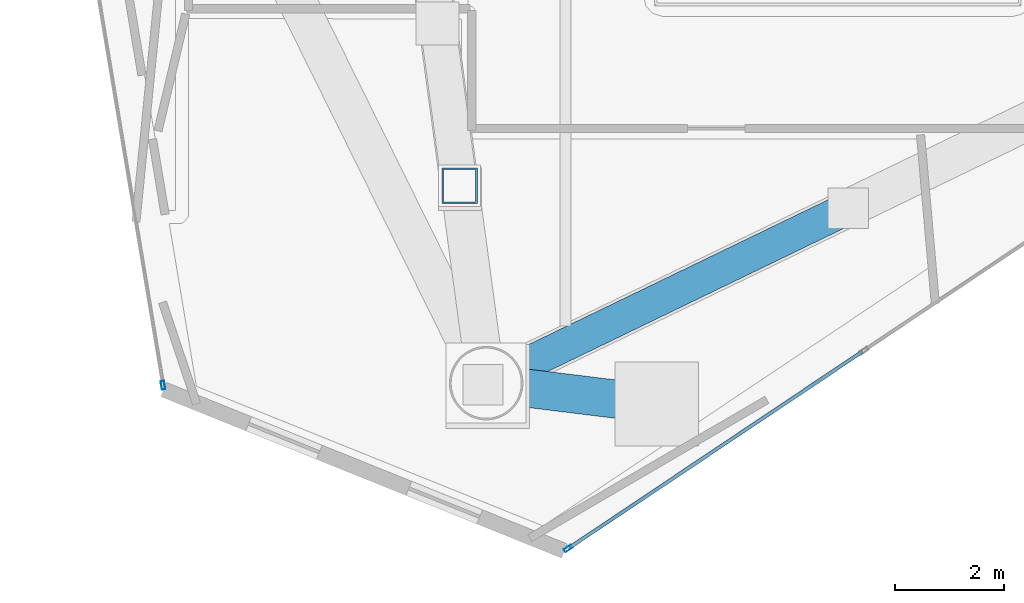
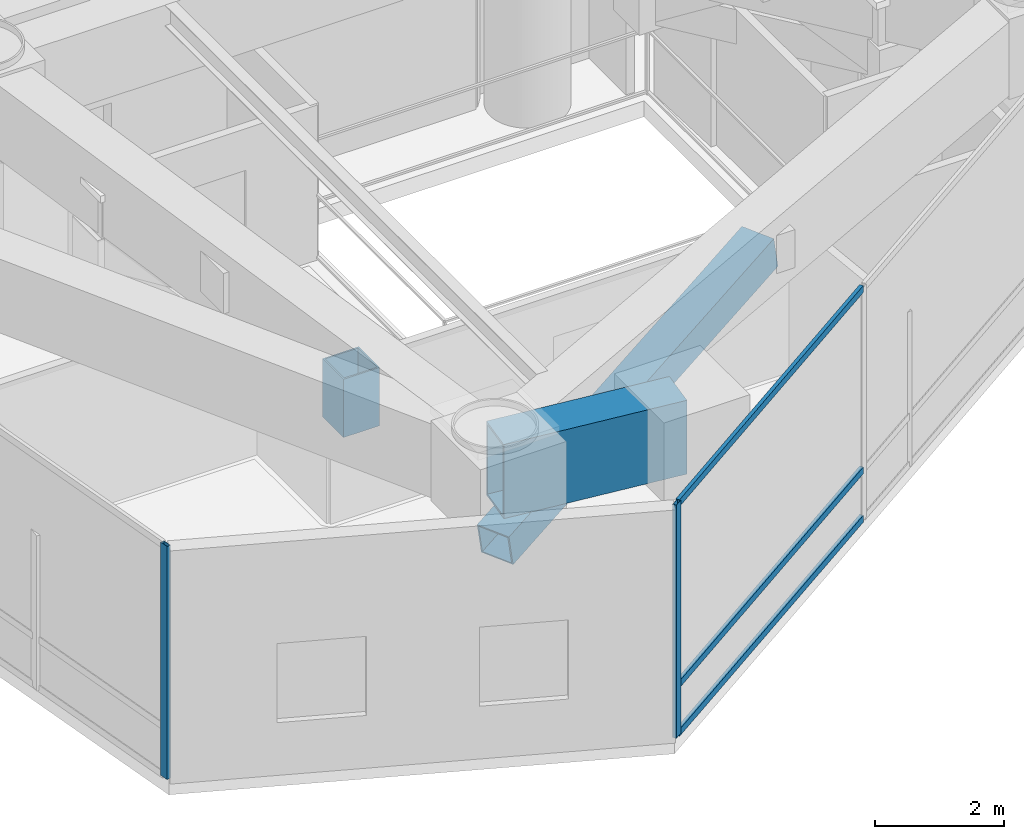
# One storey, part 2 of 22: 7 members, 1 beam, 2 elements without a shape of their own.
"""IFC4 building model written with IfcOpenShell, lengths in metres."""

from ifc_helpers import new_model, si_unit, direction, frame, origin, origin_2d, place, context, subcontext, project, spatial, hollow_rectangle, extrude, material, layer, layer_set, material_profile, profile_set, type_object, element, aggregate, save


model = new_model("IFC4")

# Units and contexts
model_context = context("Model", 3, precision=1e-05, world=origin(), true_north=direction((0.0, 1.0)))
body_context = subcontext(model_context, "Body", "Model", "MODEL_VIEW")
ifc_project = project(units=[si_unit("LENGTHUNIT", "METRE"), si_unit("AREAUNIT", "SQUARE_METRE"), si_unit("VOLUMEUNIT", "CUBIC_METRE"), si_unit("PLANEANGLEUNIT", "RADIAN"), si_unit("MASSUNIT", "GRAM", prefix="KILO")], contexts=[model_context])

# Site, building, storey
site_placement = place(None, origin())
site = spatial("IfcSite", under=ifc_project, at=site_placement, CompositionType="ELEMENT")
building_placement = place(site_placement, origin())
building = spatial("IfcBuilding", under=site, at=building_placement, Name="Qianvela Tower", CompositionType="ELEMENT")
storey_placement = place(building_placement, frame((0.0, 0.0, 184.60009765625)))
storey = spatial("IfcBuildingStorey", under=building, at=storey_placement, Name="L47", CompositionType="ELEMENT", Elevation=184.60009765625)

# Beam
ifc_material_1 = material(Name="Steel Q420GJC", Category="steel")
ifc_material_profile_1 = material_profile(ifc_material_1, hollow_rectangle(XDim=0.699951171875, YDim=1.39990234375, WallThickness=0.0400390625, at=origin_2d()), Name="TG-BOX-1400x700x40")
ifc_profile_set_1 = profile_set([ifc_material_profile_1], Name="Steel Q420GJC")
beam_type = type_object("IfcBeamType", Name="BM-TG-STEP-1400", PredefinedType="BEAM", material=ifc_profile_set_1)
beam_placement = place(storey_placement, frame((30.346923828125, 10.908935546875, 3.718017578125), z_axis=(0.992489179526, -0.122332450825, 0.0), x_axis=(0.122332450825, 0.992489179526, 0.0)))
element("IfcBeam", 1, at=beam_placement, inside=storey, type_object=beam_type, Name="L47 Zone-Step Transfer Girder 5", PredefinedType="BEAM", context=body_context, shape_type="SweptSolid", body=[
    extrude(hollow_rectangle(XDim=0.699951171875, YDim=1.39990234375, WallThickness=0.0400390625, at=origin_2d()), origin(), (0.0, 0.0, 1.0), 3.08935546875),
])

# Curtain wall, member
ifc_material_2 = material(Name="Anodised Architectural Aluminium and Low-E Glass", Category="aluminium")
ifc_layer = layer(ifc_material_2, 0.169921875)
ifc_layer_set = layer_set([ifc_layer], Name="Anodised Architectural Aluminium and Low-E Glass")
curtain_wall_type = type_object("IfcCurtainWallType", Name="CW-COLIV-Z34", PredefinedType="USERDEFINED", material=ifc_layer_set)
curtain_wall_1_placement = place(storey_placement, origin())
curtain_wall_1 = element("IfcCurtainWall", 2, at=curtain_wall_1_placement, inside=storey, type_object=curtain_wall_type, Name="L47 CW-COLIV-Z34 Curtain Wall 04C", ObjectType="CURTAIN_WALL_SYSTEM", PredefinedType="USERDEFINED")
ifc_material_3 = material(Name="Anodised Architectural Aluminium 6063-T6", Category="aluminium")
ifc_material_profile_2 = material_profile(ifc_material_3, hollow_rectangle(XDim=0.06494140625, YDim=0.159912109375, WallThickness=0.0048828125, at=origin_2d()), Name="ALU-MULL-65x160")
ifc_profile_set_2 = profile_set([ifc_material_profile_2], Name="Anodised Architectural Aluminium 6063-T6")
member_type_1 = type_object("IfcMemberType", Name="CW-COLIV-Z34-MULL", PredefinedType="MULLION", material=ifc_profile_set_2)
member_1_placement = place(storey_placement, frame((24.41455078125, 10.8720703125, 0.0), z_axis=(0.0, 0.0, 1.0), x_axis=(0.986458738436, 0.164009625823, 0.0)))
member_1 = element("IfcMember", 3, at=member_1_placement, type_object=member_type_1, Name="CW-4 mullion 2", PredefinedType="MULLION", context=body_context, shape_type="SweptSolid", body=[
    extrude(hollow_rectangle(XDim=0.06494140625, YDim=0.159912109375, WallThickness=0.0048828125, at=origin_2d()), origin(), (0.0, 0.0, 1.0), 4.419921875),
])
aggregate(curtain_wall_1, [member_1])

# Curtain wall, members
curtain_wall_2_placement = place(storey_placement, origin())
curtain_wall_2 = element("IfcCurtainWall", 4, at=curtain_wall_2_placement, inside=storey, type_object=curtain_wall_type, Name="L47 CW-COLIV-Z34 Curtain Wall 06A", ObjectType="CURTAIN_WALL_SYSTEM", PredefinedType="USERDEFINED")
member_2_placement = place(storey_placement, frame((31.851318359375, 7.873291015625, 0.0), z_axis=(0.0, 0.0, 1.0), x_axis=(-0.556193242014, 0.831052993219, 0.0)))
member_2 = element("IfcMember", 5, at=member_2_placement, type_object=member_type_1, Name="CW-4 mullion 1", PredefinedType="MULLION", context=body_context, shape_type="SweptSolid", body=[
    extrude(hollow_rectangle(XDim=0.06494140625, YDim=0.159912109375, WallThickness=0.0048828125, at=origin_2d()), origin(), (0.0, 0.0, 1.0), 4.419921875),
])
ifc_material_4 = material(Name="Anodised Architectural Aluminium 6063-T6", Category="aluminium")
ifc_material_profile_3 = material_profile(ifc_material_4, hollow_rectangle(XDim=0.06494140625, YDim=0.1298828125, WallThickness=0.00439453125, at=origin_2d()), Name="ALU-TRAN-65x130")
ifc_profile_set_3 = profile_set([ifc_material_profile_3], Name="Anodised Architectural Aluminium 6063-T6")
member_type_2 = type_object("IfcMemberType", Name="CW-COLIV-Z34-TRAN", PredefinedType="USERDEFINED", material=ifc_profile_set_3)
member_3_placement = place(storey_placement, frame((31.87841796875, 7.891357421875, 0.032470703125), z_axis=(0.831050041623, 0.556197652204, 0.0), x_axis=(-0.556197652204, 0.831050041623, 0.0)))
member_3 = element("IfcMember", 6, at=member_3_placement, type_object=member_type_2, Name="CW-4 transom 1.1", ObjectType="TRANSOM", PredefinedType="USERDEFINED", context=body_context, shape_type="SweptSolid", body=[
    extrude(hollow_rectangle(XDim=0.06494140625, YDim=0.1298828125, WallThickness=0.00439453125, at=origin_2d()), origin(), (0.0, 0.0, 1.0), 6.467529296875),
])
member_4_placement = place(storey_placement, frame((31.87841796875, 7.891357421875, 0.949951171875), z_axis=(0.831050041623, 0.556197652204, 0.0), x_axis=(-0.556197652204, 0.831050041623, 0.0)))
member_4 = element("IfcMember", 7, at=member_4_placement, type_object=member_type_2, Name="CW-4 transom 1.2", ObjectType="TRANSOM", PredefinedType="USERDEFINED", context=body_context, shape_type="SweptSolid", body=[
    extrude(hollow_rectangle(XDim=0.06494140625, YDim=0.1298828125, WallThickness=0.00439453125, at=origin_2d()), origin(), (0.0, 0.0, 1.0), 6.467529296875),
])
member_5_placement = place(storey_placement, frame((31.87841796875, 7.891357421875, 4.387451171875), z_axis=(0.831050041623, 0.556197652204, 0.0), x_axis=(-0.556197652204, 0.831050041623, 0.0)))
member_5 = element("IfcMember", 8, at=member_5_placement, type_object=member_type_2, Name="CW-4 transom 1.3", ObjectType="TRANSOM", PredefinedType="USERDEFINED", context=body_context, shape_type="SweptSolid", body=[
    extrude(hollow_rectangle(XDim=0.06494140625, YDim=0.1298828125, WallThickness=0.00439453125, at=origin_2d()), origin(), (0.0, 0.0, 1.0), 6.467529296875),
])
aggregate(curtain_wall_2, [member_2, member_3, member_4, member_5])

# Members
ifc_material_5 = material(Name="Steel Q420GJC", Category="steel")
ifc_material_profile_4 = material_profile(ifc_material_5, hollow_rectangle(XDim=0.60009765625, YDim=0.60009765625, WallThickness=0.02490234375, at=origin_2d()), Name="BBOX-600x600x25")
ifc_profile_set_4 = profile_set([ifc_material_profile_4], Name="Steel Q420GJC")
member_type_3 = type_object("IfcMemberType", Name="MBR-BELT-600", PredefinedType="BRACE", material=ifc_profile_set_4)
member_6_placement = place(storey_placement, frame((30.346923828125, 10.908935546875, 2.2998046875), z_axis=(0.883888745969, 0.42725601467, 0.190244533897), x_axis=(-0.435204265392, 0.900331742962, 0.0)))
element("IfcMember", 9, at=member_6_placement, inside=storey, type_object=member_type_3, Name="L47 Perimeter Belt-Truss Web Diagonal 5", PredefinedType="BRACE", context=body_context, shape_type="SweptSolid", body=[
    extrude(hollow_rectangle(XDim=0.60009765625, YDim=0.60009765625, WallThickness=0.02490234375, at=origin_2d()), origin(), (0.0, 0.0, 1.0), 7.45458984375),
])
ifc_material_6 = material(Name="Steel Q420GJC", Category="steel")
ifc_material_profile_5 = material_profile(ifc_material_6, hollow_rectangle(XDim=0.64990234375, YDim=0.64990234375, WallThickness=0.028076171875, at=origin_2d()), Name="OBOX-650x650x28")
ifc_profile_set_5 = profile_set([ifc_material_profile_5], Name="Steel Q420GJC")
member_type_4 = type_object("IfcMemberType", Name="MBR-OUTRIG-650", PredefinedType="BRACE", material=ifc_profile_set_5)
member_7_placement = place(storey_placement, frame((29.85791015625, 14.532470703125, 2.61279296875), z_axis=(0.0, 0.0, 1.0), x_axis=(1.0, 0.0, 0.0)))
element("IfcMember", 10, at=member_7_placement, inside=storey, type_object=member_type_4, Name="L47 Radial Outrigger Web Post 5B", PredefinedType="BRACE", context=body_context, shape_type="SweptSolid", body=[
    extrude(hollow_rectangle(XDim=0.64990234375, YDim=0.64990234375, WallThickness=0.028076171875, at=origin_2d()), origin(), (0.0, 0.0, 1.0), 1.105224609375),
])

save(model, "model.ifc")
